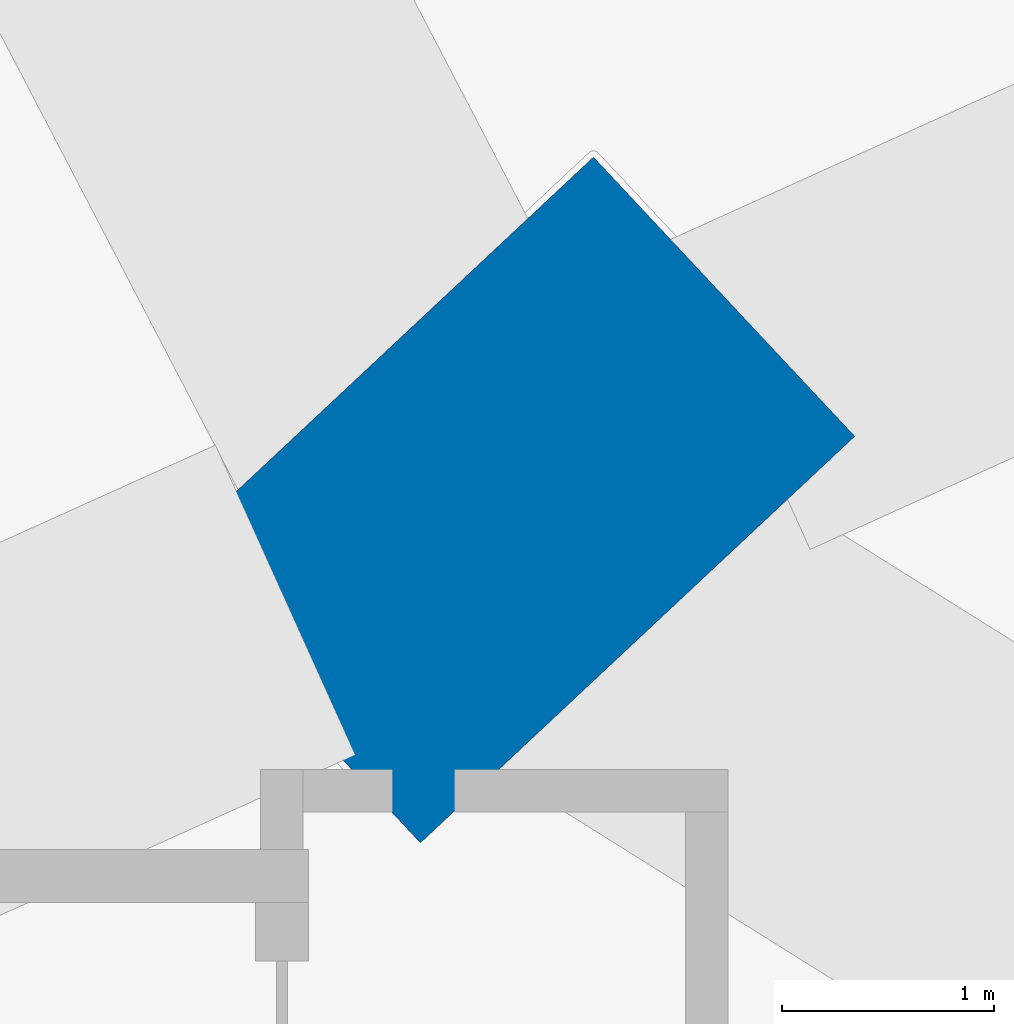
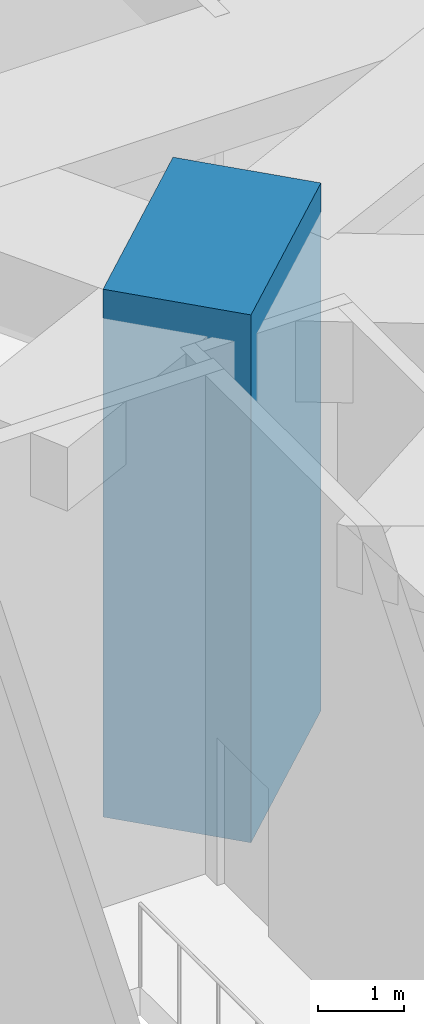
# One storey, part 5 of 60: 1 column.
"""IFC4 building model written with IfcOpenShell, lengths in metres."""

import ifcopenshell
import ifcopenshell.guid

model = None  # the IFC model being written
_history = None  # IfcOwnerHistory: only IFC2X3 demands one
_inside = {}  # id of a spatial element -> (the spatial element, [elements in it])
_under = {}  # id of a project, library or spatial element -> (it, [spatial elements below it])
_declared = {}  # id of a project -> (the project, [libraries it declares])
_typed = {}  # id of a type object -> (the type object, [elements of that type])
_made_of = {}  # id of a material, layer set ... -> (it, [elements and type objects made of it])


def new_model(schema):
    """Start an empty IFC model of exactly this schema.

    Asked for "IFC4X3", IfcOpenShell would pick the latest addendum, in which some entities
    have other attributes; the version numbers below select the first issue.
    IFC2X3 requires an IfcOwnerHistory on every rooted entity: one is made here for all.
    """
    global model, _history
    if schema == "IFC4X3":
        model = ifcopenshell.file(schema_version=(4, 3, 0, 0))
    else:
        model = ifcopenshell.file(schema=schema)
    _inside.clear()
    _under.clear()
    _declared.clear()
    _typed.clear()
    _made_of.clear()
    _history = None
    if model.schema == "IFC2X3":
        org = make("IfcOrganization", Name="unknown")
        user = make(
            "IfcPersonAndOrganization",
            ThePerson=make("IfcPerson", FamilyName="unknown"),
            TheOrganization=org,
        )
        app = make(
            "IfcApplication",
            ApplicationDeveloper=org,
            Version="unknown",
            ApplicationFullName="unknown",
            ApplicationIdentifier="unknown",
        )
        _history = make(
            "IfcOwnerHistory",
            OwningUser=user,
            OwningApplication=app,
            ChangeAction="ADDED",
            CreationDate=0,
        )
    return model


def make(cls, **values):
    """One entity of the class cls with the attributes given. An attribute that is None is left unset."""
    return model.create_entity(
        cls, **{name: value for name, value in values.items() if value is not None}
    )


def rooted(cls, **values):
    """An entity with a GlobalId (a new one), such as an element, a storey or a relation."""
    return make(cls, GlobalId=ifcopenshell.guid.new(), OwnerHistory=_history, **values)


def si_unit(unit_type, name, prefix=None):
    """IfcSIUnit, for example si_unit("LENGTHUNIT", "METRE", prefix="MILLI")."""
    return make("IfcSIUnit", UnitType=unit_type, Prefix=prefix, Name=name)


def assignment(units):
    """IfcUnitAssignment: the units of a project."""
    return None if units is None else make("IfcUnitAssignment", Units=units)


def point(xyz):
    """IfcCartesianPoint."""
    return None if xyz is None else make("IfcCartesianPoint", Coordinates=xyz)


def direction(xyz):
    """IfcDirection."""
    return None if xyz is None else make("IfcDirection", DirectionRatios=xyz)


def frame(location, z_axis=None, x_axis=None):
    """IfcAxis2Placement3D, a coordinate frame: its origin and axes. An axis left out is left unset."""
    return make(
        "IfcAxis2Placement3D",
        Location=point(location),
        Axis=direction(z_axis),
        RefDirection=direction(x_axis),
    )


def frame_2d(location, x_axis=None):
    """IfcAxis2Placement2D, a coordinate frame in the plane: its origin and x axis."""
    return make(
        "IfcAxis2Placement2D", Location=point(location), RefDirection=direction(x_axis)
    )


def origin():
    """The frame at (0, 0, 0) with its axes left unset."""
    return frame((0.0, 0.0, 0.0))


def origin_2d():
    """The frame at (0, 0) in the plane with its x axis left unset."""
    return frame_2d((0.0, 0.0))


def place(relative_to, where):
    """IfcLocalPlacement: puts the frame where relative to a parent placement (None: the world)."""
    return make(
        "IfcLocalPlacement", PlacementRelTo=relative_to, RelativePlacement=where
    )


def context(
    kind, dimensions, precision=None, world=None, true_north=None, identifier=None
):
    """IfcGeometricRepresentationContext, for example the 3D "Model" context."""
    return make(
        "IfcGeometricRepresentationContext",
        ContextIdentifier=identifier,
        ContextType=kind,
        CoordinateSpaceDimension=dimensions,
        Precision=precision,
        WorldCoordinateSystem=world,
        TrueNorth=true_north,
    )


def subcontext(parent, identifier, kind, view, scale=None):
    """IfcGeometricRepresentationSubContext, for example "Body" below "Model"."""
    return make(
        "IfcGeometricRepresentationSubContext",
        ContextIdentifier=identifier,
        ContextType=kind,
        ParentContext=parent,
        TargetScale=scale,
        TargetView=view,
    )


def project(units=None, contexts=None):
    """IfcProject with its units and contexts."""
    return rooted(
        "IfcProject",
        Name="project",
        RepresentationContexts=contexts,
        UnitsInContext=assignment(units),
    )


def spatial(cls, under=None, at=None, **own):
    """A site, building, storey or space (cls), placed at a placement, below another one or the project."""
    s = rooted(cls, ObjectPlacement=at, **own)
    if under is not None:
        _under.setdefault(under.id(), (under, []))[1].append(s)
    return s


def profile(cls, at=None, kind="AREA", **sizes):
    """A parametric profile (cls). Its sizes go by their IFC names, for example OverallWidth=200.0."""
    return make(cls, ProfileType=kind, Position=at, **sizes)


def rectangle(**sizes):
    """IfcRectangleProfileDef."""
    return profile("IfcRectangleProfileDef", **sizes)


def extrude(swept, where, along, depth):
    """IfcExtrudedAreaSolid: the profile swept, set in the frame where, extruded along a direction by depth."""
    return make(
        "IfcExtrudedAreaSolid",
        SweptArea=swept,
        Position=where,
        ExtrudedDirection=direction(along),
        Depth=depth,
    )


def shape(context_of_items, identifier, shape_type, items):
    """IfcShapeRepresentation: the items that make up one representation, for example the "Body"."""
    return make(
        "IfcShapeRepresentation",
        ContextOfItems=context_of_items,
        RepresentationIdentifier=identifier,
        RepresentationType=shape_type,
        Items=items,
    )


def material(Name=None, Category=None):
    """IfcMaterial."""
    return make("IfcMaterial", Name=Name, Category=Category)


def material_profile(
    of_material, cross_section, Name=None, Category=None, Priority=None
):
    """IfcMaterialProfile: a cross section and its material."""
    return make(
        "IfcMaterialProfile",
        Name=Name,
        Material=of_material,
        Profile=cross_section,
        Priority=Priority,
        Category=Category,
    )


def profile_set(profiles, Name=None, composite=None):
    """IfcMaterialProfileSet."""
    return make(
        "IfcMaterialProfileSet",
        Name=Name,
        MaterialProfiles=profiles,
        CompositeProfile=composite,
    )


def made_of(thing, what):
    """Note that an element or type object is made of a material, layer set ...; save() writes the relation."""
    if what is not None:
        _made_of.setdefault(what.id(), (what, []))[1].append(thing)
    return thing


def type_object(cls, material=None, **own):
    """A type object (cls), such as IfcWallType, which elements share."""
    return made_of(rooted(cls, **own), material)


def element(
    cls,
    number,
    at=None,
    inside=None,
    cuts=None,
    type_object=None,
    material=None,
    context=None,
    identifier="Body",
    shape_type=None,
    held_by="IfcProductDefinitionShape",
    body=None,
    shapes=None,
    **own,
):
    """One element of the class cls, such as IfcWall. Its Tag is "e" and its number.

    at: its placement. inside: the storey or other place that contains it. cuts: it is an
    opening in that element (IfcRelVoidsElement). A single representation is given by context,
    identifier, shape_type and body (its items); several are given by shapes. held_by: the class
    of the entity that holds the representations. save() writes the other relations.
    """
    e = rooted(cls, Tag="e%d" % number, ObjectPlacement=at, **own)
    if body is not None:
        shapes = [shape(context, identifier, shape_type, body)]
    if shapes is not None:
        e.Representation = make(held_by, Representations=shapes)
    if inside is not None:
        _inside.setdefault(inside.id(), (inside, []))[1].append(e)
    if cuts is not None:
        rooted(
            "IfcRelVoidsElement", RelatingBuildingElement=cuts, RelatedOpeningElement=e
        )
    if type_object is not None:
        _typed.setdefault(type_object.id(), (type_object, []))[1].append(e)
    return made_of(e, material)


def aggregate(whole, parts):
    """IfcRelAggregates: a whole, such as a stair, and the parts it consists of."""
    return rooted("IfcRelAggregates", RelatingObject=whole, RelatedObjects=parts)


def save(model, path):
    """Write the relations noted so far, then the file.

    IfcRelAggregates (storeys below a building ...), IfcRelContainedInSpatialStructure (elements
    in a storey), IfcRelDefinesByType, IfcRelAssociatesMaterial and IfcRelDeclares: one each for
    every whole, place, type object, material and project.
    """
    for whole, parts in _under.values():
        aggregate(whole, parts)
    for where, things in _inside.values():
        rooted(
            "IfcRelContainedInSpatialStructure",
            RelatedElements=things,
            RelatingStructure=where,
        )
    for kind, things in _typed.values():
        rooted("IfcRelDefinesByType", RelatedObjects=things, RelatingType=kind)
    for what, things in _made_of.values():
        rooted("IfcRelAssociatesMaterial", RelatedObjects=things, RelatingMaterial=what)
    for by, libraries in _declared.values():
        rooted("IfcRelDeclares", RelatingContext=by, RelatedDefinitions=libraries)
    model.write(path)


model = new_model("IFC4")

# Units and contexts
model_context = context("Model", 3, precision=1e-05, world=origin(), true_north=direction((0.0, 1.0)))
body_context = subcontext(model_context, "Body", "Model", "MODEL_VIEW")
ifc_project = project(units=[si_unit("LENGTHUNIT", "METRE"), si_unit("AREAUNIT", "SQUARE_METRE"), si_unit("VOLUMEUNIT", "CUBIC_METRE"), si_unit("PLANEANGLEUNIT", "RADIAN"), si_unit("MASSUNIT", "GRAM", prefix="KILO")], contexts=[model_context])

# Site, building, storey
site_placement = place(None, origin())
site = spatial("IfcSite", under=ifc_project, at=site_placement, CompositionType="ELEMENT")
building_placement = place(site_placement, origin())
building = spatial("IfcBuilding", under=site, at=building_placement, Name="Taillehof Tower", CompositionType="ELEMENT")
storey_placement = place(building_placement, origin())
storey = spatial("IfcBuildingStorey", under=building, at=storey_placement, Name="L00", CompositionType="ELEMENT", Elevation=0.0)

# Column
ifc_material = material(Name="Concrete C80/95", Category="concrete")
ifc_material_profile = material_profile(ifc_material, rectangle(XDim=2.800048828125, YDim=1.800048828125, at=origin_2d()), Name="RC 2800x1800")
ifc_profile_set = profile_set([ifc_material_profile], Name="Concrete C80/95")
column_type = type_object("IfcColumnType", Name="Mega column C80/95 2800x1800", PredefinedType="COLUMN", material=ifc_profile_set)
column_placement = place(storey_placement, frame((-21.640869140625, -16.23046875, 0.0), z_axis=(0.0, 0.0, 1.0), x_axis=(-0.730113022917, -0.683326403535, 0.0)))
element("IfcColumn", 1, at=column_placement, inside=storey, type_object=column_type, Name="Mega column MG08", PredefinedType="COLUMN", context=body_context, shape_type="SweptSolid", body=[
    extrude(rectangle(XDim=2.800048828125, YDim=1.800048828125, at=origin_2d()), origin(), (0.0, 0.0, 1.0), 7.5),
])

save(model, "model.ifc")
